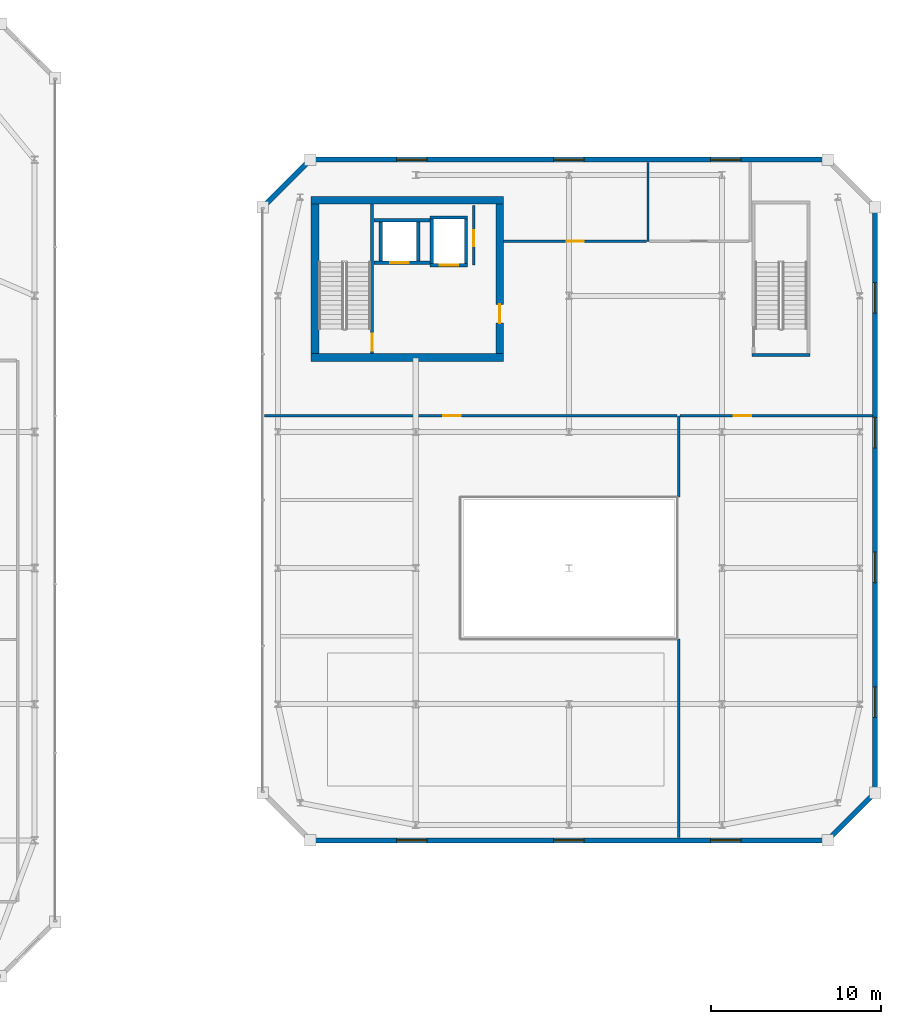
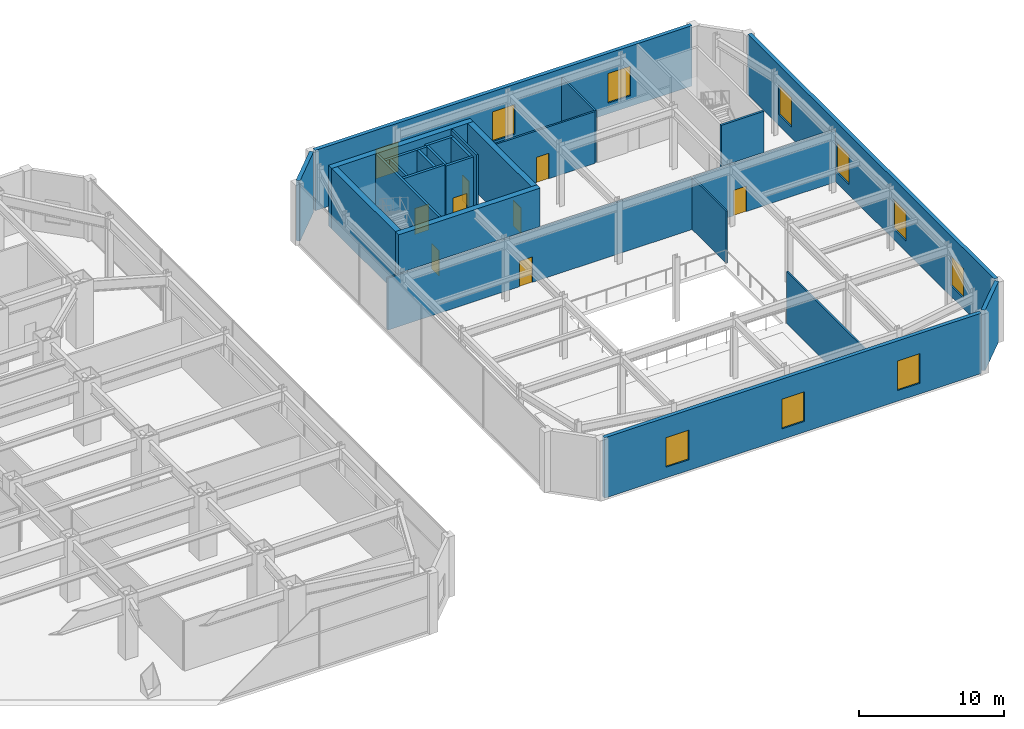
# One storey, part 42 of 52: 26 walls, 10 windows, 8 doors, 18 openings.
"""IFC4 building model written with IfcOpenShell, lengths in metres."""

from ifc_helpers import new_model, si_unit, direction, frame, frame_2d, origin, place, context, subcontext, project, spatial, rectangle, extrude, material, layer, layer_set, type_object, element, fill, save


model = new_model("IFC4")

# Units and contexts
model_context = context("Model", 3, precision=1e-05, world=origin(), true_north=direction((0.0, 1.0)))
body_context = subcontext(model_context, "Body", "Model", "MODEL_VIEW")
ifc_project = project(units=[si_unit("LENGTHUNIT", "METRE"), si_unit("AREAUNIT", "SQUARE_METRE"), si_unit("VOLUMEUNIT", "CUBIC_METRE"), si_unit("PLANEANGLEUNIT", "RADIAN"), si_unit("MASSUNIT", "GRAM", prefix="KILO")], contexts=[model_context])

# Site, building, storey
site_placement = place(None, origin())
site = spatial("IfcSite", under=ifc_project, at=site_placement, CompositionType="ELEMENT")
building_placement = place(site_placement, origin())
building = spatial("IfcBuilding", under=site, at=building_placement, Name="Saevonmaru Cultural Tower", CompositionType="ELEMENT")
storey_placement = place(building_placement, frame((0.0, 0.0, 11.39990234375)))
storey = spatial("IfcBuildingStorey", under=building, at=storey_placement, Name="L02", CompositionType="ELEMENT", Elevation=11.39990234375)

# Wall, opening, door
ifc_material_1 = material(Name="Gypsum Fireboard Partition", Category="gypsum")
ifc_layer_1 = layer(ifc_material_1, 0.14990234375, Name="Gypsum Fireboard Partition")
ifc_layer_set_1 = layer_set([ifc_layer_1], Name="Gypsum Fireboard Partition")
wall_type_1 = type_object("IfcWallType", Name="WL-CORE-PART-150", PredefinedType="PARTITIONING", material=ifc_layer_set_1)
wall_1_placement = place(storey_placement, frame((84.60009765625, 41.800048828125, 0.0), z_axis=(0.0, 0.0, 1.0), x_axis=(0.0, 1.0, 0.0)))
wall_1 = element("IfcWall", 1, at=wall_1_placement, inside=storey, type_object=wall_type_1, Name="L02 Library Core Riser Wall", PredefinedType="PARTITIONING", context=body_context, shape_type="SweptSolid", body=[
    extrude(rectangle(XDim=3.5, YDim=0.14990234375, at=frame_2d((1.75, 0.0))), origin(), (0.0, 0.0, 1.0), 5.10009765625),
])
opening_1_placement = place(wall_1_placement, frame((1.10009765625, 0.0, 0.0)))
opening_1 = element("IfcOpeningElement", 2, at=opening_1_placement, cuts=wall_1, Name="Opening FD-4", PredefinedType="OPENING", context=body_context, shape_type="SweptSolid", body=[
    extrude(rectangle(XDim=0.949951171875, YDim=2.14990234375, at=frame_2d((0.47509765625, 1.074951171875))), frame((0.0, 0.0849609375, 0.0), z_axis=(0.0, -1.0, 0.0), x_axis=(1.0, 0.0, 0.0)), (0.0, 0.0, 1.0), 0.169921875),
])
ifc_material_2 = material(Name="Satin Bronze Anodised Aluminium", Category="aluminium")
door_type_1 = type_object("IfcDoorType", Name="DR-FD60-950", OperationType="SINGLE_SWING_LEFT", PredefinedType="DOOR", material=ifc_material_2)
door_1_placement = place(opening_1_placement, origin())
door_1 = element("IfcDoor", 3, at=door_1_placement, inside=storey, type_object=door_type_1, Name="L02 Library Core Riser Plant Door", OperationType="SINGLE_SWING_LEFT", OverallHeight=2.14990234375, OverallWidth=0.949951171875, PredefinedType="DOOR", context=body_context, shape_type="SweptSolid", body=[
    extrude(rectangle(XDim=0.949951171875, YDim=2.14990234375, at=frame_2d((0.47509765625, 1.074951171875))), frame((0.0, 0.02490234375, 0.0), z_axis=(0.0, -1.0, 0.0), x_axis=(1.0, 0.0, 0.0)), (0.0, 0.0, 1.0), 0.050048828125),
])
fill(opening_1, door_1)

# Wall, openings, windows
ifc_material_3 = material(Name="Warm Limestone Precast Concrete C40/50", Category="masonry")
ifc_layer_2 = layer(ifc_material_3, 0.300048828125, Name="Warm Limestone Precast Concrete C40/50")
ifc_layer_set_2 = layer_set([ifc_layer_2], Name="Warm Limestone Precast Concrete C40/50")
wall_type_2 = type_object("IfcWallType", Name="WL-EXT-LIB-300", PredefinedType="STANDARD", material=ifc_layer_set_2)
wall_2_placement = place(storey_placement, frame((75.159912109375, 8.0, 0.0), z_axis=(0.0, 0.0, 1.0), x_axis=(1.0, 0.0, 0.0)))
wall_2 = element("IfcWall", 4, at=wall_2_placement, inside=storey, type_object=wall_type_2, Name="L02 Central Library Fluted Stone Wall E2", PredefinedType="STANDARD", context=body_context, shape_type="SweptSolid", body=[
    extrude(rectangle(XDim=30.080078125, YDim=0.300048828125, at=frame_2d((15.0400390625, 0.0))), origin(), (0.0, 0.0, 1.0), 5.10009765625),
])
opening_2_placement = place(wall_2_placement, frame((4.9130859375, 0.0, 0.89990234375)))
opening_2 = element("IfcOpeningElement", 5, at=opening_2_placement, cuts=wall_2, Name="Opening W-3B", PredefinedType="OPENING", context=body_context, shape_type="SweptSolid", body=[
    extrude(rectangle(XDim=1.800048828125, YDim=2.5, at=frame_2d((0.89990234375, 1.25))), frame((0.0, 0.16015625, 0.0), z_axis=(0.0, -1.0, 0.0), x_axis=(1.0, 0.0, 0.0)), (0.0, 0.0, 1.0), 0.320068359375),
])
opening_3_placement = place(wall_2_placement, frame((14.139892578125, 0.0, 0.89990234375)))
opening_3 = element("IfcOpeningElement", 6, at=opening_3_placement, cuts=wall_2, Name="Opening W-3B", PredefinedType="OPENING", context=body_context, shape_type="SweptSolid", body=[
    extrude(rectangle(XDim=1.800048828125, YDim=2.5, at=frame_2d((0.89990234375, 1.25))), frame((0.0, 0.16015625, 0.0), z_axis=(0.0, -1.0, 0.0), x_axis=(1.0, 0.0, 0.0)), (0.0, 0.0, 1.0), 0.320068359375),
])
opening_4_placement = place(wall_2_placement, frame((23.366943359375, 0.0, 0.89990234375)))
opening_4 = element("IfcOpeningElement", 7, at=opening_4_placement, cuts=wall_2, Name="Opening W-3B", PredefinedType="OPENING", context=body_context, shape_type="SweptSolid", body=[
    extrude(rectangle(XDim=1.800048828125, YDim=2.5, at=frame_2d((0.89990234375, 1.25))), frame((0.0, 0.16015625, 0.0), z_axis=(0.0, -1.0, 0.0), x_axis=(1.0, 0.0, 0.0)), (0.0, 0.0, 1.0), 0.320068359375),
])
window_type = type_object("IfcWindowType", Name="WN-LIB-1800x2500", PartitioningType="DOUBLE_PANEL_VERTICAL", PredefinedType="WINDOW", material=ifc_material_2)
window_1_placement = place(opening_2_placement, origin())
window_1 = element("IfcWindow", 8, at=window_1_placement, inside=storey, type_object=window_type, Name="L02 Library Reading Window E2-1", OverallHeight=2.5, OverallWidth=1.800048828125, PartitioningType="DOUBLE_PANEL_VERTICAL", PredefinedType="WINDOW", context=body_context, shape_type="SweptSolid", body=[
    extrude(rectangle(XDim=1.800048828125, YDim=2.5, at=frame_2d((0.89990234375, 1.25))), frame((0.0, 0.030029296875, 0.0), z_axis=(0.0, -1.0, 0.0), x_axis=(1.0, 0.0, 0.0)), (0.0, 0.0, 1.0), 0.06005859375),
])
fill(opening_2, window_1)
window_2_placement = place(opening_3_placement, origin())
window_2 = element("IfcWindow", 9, at=window_2_placement, inside=storey, type_object=window_type, Name="L02 Library Reading Window E2-2", OverallHeight=2.5, OverallWidth=1.800048828125, PartitioningType="DOUBLE_PANEL_VERTICAL", PredefinedType="WINDOW", context=body_context, shape_type="SweptSolid", body=[
    extrude(rectangle(XDim=1.800048828125, YDim=2.5, at=frame_2d((0.89990234375, 1.25))), frame((0.0, 0.030029296875, 0.0), z_axis=(0.0, -1.0, 0.0), x_axis=(1.0, 0.0, 0.0)), (0.0, 0.0, 1.0), 0.06005859375),
])
fill(opening_3, window_2)
window_3_placement = place(opening_4_placement, origin())
window_3 = element("IfcWindow", 10, at=window_3_placement, inside=storey, type_object=window_type, Name="L02 Library Reading Window E2-3", OverallHeight=2.5, OverallWidth=1.800048828125, PartitioningType="DOUBLE_PANEL_VERTICAL", PredefinedType="WINDOW", context=body_context, shape_type="SweptSolid", body=[
    extrude(rectangle(XDim=1.800048828125, YDim=2.5, at=frame_2d((0.89990234375, 1.25))), frame((0.0, 0.030029296875, 0.0), z_axis=(0.0, -1.0, 0.0), x_axis=(1.0, 0.0, 0.0)), (0.0, 0.0, 1.0), 0.06005859375),
])
fill(opening_4, window_3)

# Wall
wall_3_placement = place(storey_placement, frame((105.51318359375, 8.113037109375, 0.0), z_axis=(0.0, 0.0, 1.0), x_axis=(0.707073244381, 0.707140316402, 0.0)))
element("IfcWall", 11, at=wall_3_placement, inside=storey, type_object=wall_type_2, Name="L02 Central Library Fluted Stone Wall E3", PredefinedType="STANDARD", context=body_context, shape_type="SweptSolid", body=[
    extrude(rectangle(XDim=3.639892578125, YDim=0.300048828125, at=frame_2d((1.81982421875, 0.0))), origin(), (0.0, 0.0, 1.0), 5.10009765625),
])

# Wall, openings, windows
wall_4_placement = place(storey_placement, frame((108.199951171875, 10.9599609375, 0.0), z_axis=(0.0, 0.0, 1.0), x_axis=(0.0, 1.0, 0.0)))
wall_4 = element("IfcWall", 12, at=wall_4_placement, inside=storey, type_object=wall_type_2, Name="L02 Central Library Fluted Stone Wall E4", PredefinedType="STANDARD", context=body_context, shape_type="SweptSolid", body=[
    extrude(rectangle(XDim=34.080078125, YDim=0.300048828125, at=frame_2d((17.0400390625, 0.0))), origin(), (0.0, 0.0, 1.0), 5.10009765625),
])
opening_5_placement = place(wall_4_placement, frame((4.260009765625, 0.0, 0.89990234375)))
opening_5 = element("IfcOpeningElement", 13, at=opening_5_placement, cuts=wall_4, Name="Opening W-3B", PredefinedType="OPENING", context=body_context, shape_type="SweptSolid", body=[
    extrude(rectangle(XDim=1.800048828125, YDim=2.5, at=frame_2d((0.89990234375, 1.25))), frame((0.0, 0.16015625, 0.0), z_axis=(0.0, -1.0, 0.0), x_axis=(1.0, 0.0, 0.0)), (0.0, 0.0, 1.0), 0.320068359375),
])
opening_6_placement = place(wall_4_placement, frame((12.179931640625, 0.0, 0.89990234375)))
opening_6 = element("IfcOpeningElement", 14, at=opening_6_placement, cuts=wall_4, Name="Opening W-3B", PredefinedType="OPENING", context=body_context, shape_type="SweptSolid", body=[
    extrude(rectangle(XDim=1.800048828125, YDim=2.5, at=frame_2d((0.89990234375, 1.25))), frame((0.0, 0.16015625, 0.0), z_axis=(0.0, -1.0, 0.0), x_axis=(1.0, 0.0, 0.0)), (0.0, 0.0, 1.0), 0.320068359375),
])
opening_7_placement = place(wall_4_placement, frame((20.10009765625, 0.0, 0.89990234375)))
opening_7 = element("IfcOpeningElement", 15, at=opening_7_placement, cuts=wall_4, Name="Opening W-3B", PredefinedType="OPENING", context=body_context, shape_type="SweptSolid", body=[
    extrude(rectangle(XDim=1.800048828125, YDim=2.5, at=frame_2d((0.89990234375, 1.25))), frame((0.0, 0.16015625, 0.0), z_axis=(0.0, -1.0, 0.0), x_axis=(1.0, 0.0, 0.0)), (0.0, 0.0, 1.0), 0.320068359375),
])
opening_8_placement = place(wall_4_placement, frame((28.02001953125, 0.0, 0.89990234375)))
opening_8 = element("IfcOpeningElement", 16, at=opening_8_placement, cuts=wall_4, Name="Opening W-3B", PredefinedType="OPENING", context=body_context, shape_type="SweptSolid", body=[
    extrude(rectangle(XDim=1.800048828125, YDim=2.5, at=frame_2d((0.89990234375, 1.25))), frame((0.0, 0.16015625, 0.0), z_axis=(0.0, -1.0, 0.0), x_axis=(1.0, 0.0, 0.0)), (0.0, 0.0, 1.0), 0.320068359375),
])
window_4_placement = place(opening_5_placement, origin())
window_4 = element("IfcWindow", 17, at=window_4_placement, inside=storey, type_object=window_type, Name="L02 Library Reading Window E4-1", OverallHeight=2.5, OverallWidth=1.800048828125, PartitioningType="DOUBLE_PANEL_VERTICAL", PredefinedType="WINDOW", context=body_context, shape_type="SweptSolid", body=[
    extrude(rectangle(XDim=1.800048828125, YDim=2.5, at=frame_2d((0.89990234375, 1.25))), frame((0.0, 0.030029296875, 0.0), z_axis=(0.0, -1.0, 0.0), x_axis=(1.0, 0.0, 0.0)), (0.0, 0.0, 1.0), 0.06005859375),
])
fill(opening_5, window_4)
window_5_placement = place(opening_6_placement, origin())
window_5 = element("IfcWindow", 18, at=window_5_placement, inside=storey, type_object=window_type, Name="L02 Library Reading Window E4-2", OverallHeight=2.5, OverallWidth=1.800048828125, PartitioningType="DOUBLE_PANEL_VERTICAL", PredefinedType="WINDOW", context=body_context, shape_type="SweptSolid", body=[
    extrude(rectangle(XDim=1.800048828125, YDim=2.5, at=frame_2d((0.89990234375, 1.25))), frame((0.0, 0.030029296875, 0.0), z_axis=(0.0, -1.0, 0.0), x_axis=(1.0, 0.0, 0.0)), (0.0, 0.0, 1.0), 0.06005859375),
])
fill(opening_6, window_5)
window_6_placement = place(opening_7_placement, origin())
window_6 = element("IfcWindow", 19, at=window_6_placement, inside=storey, type_object=window_type, Name="L02 Library Reading Window E4-3", OverallHeight=2.5, OverallWidth=1.800048828125, PartitioningType="DOUBLE_PANEL_VERTICAL", PredefinedType="WINDOW", context=body_context, shape_type="SweptSolid", body=[
    extrude(rectangle(XDim=1.800048828125, YDim=2.5, at=frame_2d((0.89990234375, 1.25))), frame((0.0, 0.030029296875, 0.0), z_axis=(0.0, -1.0, 0.0), x_axis=(1.0, 0.0, 0.0)), (0.0, 0.0, 1.0), 0.06005859375),
])
fill(opening_7, window_6)
window_7_placement = place(opening_8_placement, origin())
window_7 = element("IfcWindow", 20, at=window_7_placement, inside=storey, type_object=window_type, Name="L02 Library Reading Window E4-4", OverallHeight=2.5, OverallWidth=1.800048828125, PartitioningType="DOUBLE_PANEL_VERTICAL", PredefinedType="WINDOW", context=body_context, shape_type="SweptSolid", body=[
    extrude(rectangle(XDim=1.800048828125, YDim=2.5, at=frame_2d((0.89990234375, 1.25))), frame((0.0, 0.030029296875, 0.0), z_axis=(0.0, -1.0, 0.0), x_axis=(1.0, 0.0, 0.0)), (0.0, 0.0, 1.0), 0.06005859375),
])
fill(opening_8, window_7)

wall_5_placement = place(storey_placement, frame((105.239990234375, 48.0, 0.0), z_axis=(0.0, 0.0, 1.0), x_axis=(-1.0, 0.0, 0.0)))
wall_5 = element("IfcWall", 21, at=wall_5_placement, inside=storey, type_object=wall_type_2, Name="L02 Central Library Fluted Stone Wall E6", PredefinedType="STANDARD", context=body_context, shape_type="SweptSolid", body=[
    extrude(rectangle(XDim=30.080078125, YDim=0.300048828125, at=frame_2d((15.0400390625, 0.0))), origin(), (0.0, 0.0, 1.0), 5.10009765625),
])
opening_9_placement = place(wall_5_placement, frame((4.9130859375, 0.0, 0.89990234375)))
opening_9 = element("IfcOpeningElement", 22, at=opening_9_placement, cuts=wall_5, Name="Opening W-3B", PredefinedType="OPENING", context=body_context, shape_type="SweptSolid", body=[
    extrude(rectangle(XDim=1.800048828125, YDim=2.5, at=frame_2d((0.89990234375, 1.25))), frame((0.0, 0.16015625, 0.0), z_axis=(0.0, -1.0, 0.0), x_axis=(1.0, 0.0, 0.0)), (0.0, 0.0, 1.0), 0.320068359375),
])
opening_10_placement = place(wall_5_placement, frame((14.139892578125, 0.0, 0.89990234375)))
opening_10 = element("IfcOpeningElement", 23, at=opening_10_placement, cuts=wall_5, Name="Opening W-3B", PredefinedType="OPENING", context=body_context, shape_type="SweptSolid", body=[
    extrude(rectangle(XDim=1.800048828125, YDim=2.5, at=frame_2d((0.89990234375, 1.25))), frame((0.0, 0.16015625, 0.0), z_axis=(0.0, -1.0, 0.0), x_axis=(1.0, 0.0, 0.0)), (0.0, 0.0, 1.0), 0.320068359375),
])
opening_11_placement = place(wall_5_placement, frame((23.366943359375, 0.0, 0.89990234375)))
opening_11 = element("IfcOpeningElement", 24, at=opening_11_placement, cuts=wall_5, Name="Opening W-3B", PredefinedType="OPENING", context=body_context, shape_type="SweptSolid", body=[
    extrude(rectangle(XDim=1.800048828125, YDim=2.5, at=frame_2d((0.89990234375, 1.25))), frame((0.0, 0.16015625, 0.0), z_axis=(0.0, -1.0, 0.0), x_axis=(1.0, 0.0, 0.0)), (0.0, 0.0, 1.0), 0.320068359375),
])
window_8_placement = place(opening_9_placement, origin())
window_8 = element("IfcWindow", 25, at=window_8_placement, inside=storey, type_object=window_type, Name="L02 Library Reading Window E6-1", OverallHeight=2.5, OverallWidth=1.800048828125, PartitioningType="DOUBLE_PANEL_VERTICAL", PredefinedType="WINDOW", context=body_context, shape_type="SweptSolid", body=[
    extrude(rectangle(XDim=1.800048828125, YDim=2.5, at=frame_2d((0.89990234375, 1.25))), frame((0.0, 0.030029296875, 0.0), z_axis=(0.0, -1.0, 0.0), x_axis=(1.0, 0.0, 0.0)), (0.0, 0.0, 1.0), 0.06005859375),
])
fill(opening_9, window_8)
window_9_placement = place(opening_10_placement, origin())
window_9 = element("IfcWindow", 26, at=window_9_placement, inside=storey, type_object=window_type, Name="L02 Library Reading Window E6-2", OverallHeight=2.5, OverallWidth=1.800048828125, PartitioningType="DOUBLE_PANEL_VERTICAL", PredefinedType="WINDOW", context=body_context, shape_type="SweptSolid", body=[
    extrude(rectangle(XDim=1.800048828125, YDim=2.5, at=frame_2d((0.89990234375, 1.25))), frame((0.0, 0.030029296875, 0.0), z_axis=(0.0, -1.0, 0.0), x_axis=(1.0, 0.0, 0.0)), (0.0, 0.0, 1.0), 0.06005859375),
])
fill(opening_10, window_9)
window_10_placement = place(opening_11_placement, origin())
window_10 = element("IfcWindow", 27, at=window_10_placement, inside=storey, type_object=window_type, Name="L02 Library Reading Window E6-3", OverallHeight=2.5, OverallWidth=1.800048828125, PartitioningType="DOUBLE_PANEL_VERTICAL", PredefinedType="WINDOW", context=body_context, shape_type="SweptSolid", body=[
    extrude(rectangle(XDim=1.800048828125, YDim=2.5, at=frame_2d((0.89990234375, 1.25))), frame((0.0, 0.030029296875, 0.0), z_axis=(0.0, -1.0, 0.0), x_axis=(1.0, 0.0, 0.0)), (0.0, 0.0, 1.0), 0.06005859375),
])
fill(opening_11, window_10)

# Walls
wall_6_placement = place(storey_placement, frame((74.886962890625, 47.886962890625, 0.0), z_axis=(0.0, 0.0, 1.0), x_axis=(-0.707106781187, -0.707106781187, 0.0)))
element("IfcWall", 28, at=wall_6_placement, inside=storey, type_object=wall_type_2, Name="L02 Central Library Fluted Stone Wall E7", PredefinedType="STANDARD", context=body_context, shape_type="SweptSolid", body=[
    extrude(rectangle(XDim=3.64013671875, YDim=0.300048828125, at=frame_2d((1.820068359375, 0.0))), origin(), (0.0, 0.0, 1.0), 5.10009765625),
])
ifc_material_4 = material(Name="Concrete C50/60", Category="concrete")
ifc_layer_3 = layer(ifc_material_4, 0.449951171875, Name="Concrete C50/60")
ifc_layer_set_3 = layer_set([ifc_layer_3], Name="Concrete C50/60")
wall_type_3 = type_object("IfcWallType", Name="WL-LCORE-450", PredefinedType="SHEAR", material=ifc_layer_set_3)
for number, where, z_axis, x_axis, name in (
    (29, (75.050048828125, 36.375, 0.0), (0.0, 0.0, 1.0), (1.0, 0.0, 0.0), "L02 Central Library RC core shear wall S"),
    (30, (75.050048828125, 45.625, 0.0), (0.0, 0.0, 1.0), (1.0, 0.0, 0.0), "L02 Central Library RC core shear wall N"),
):
    element("IfcWall", number, at=place(storey_placement, frame(where, z_axis=z_axis, x_axis=x_axis)), inside=storey, type_object=wall_type_3, Name=name, PredefinedType="SHEAR", context=body_context, shape_type="SweptSolid", body=[
        extrude(rectangle(XDim=11.300048828125, YDim=0.449951171875, at=frame_2d((5.64990234375, 0.0))), origin(), (0.0, 0.0, 1.0), 5.10009765625),
    ])
wall_7_placement = place(storey_placement, frame((75.27490234375, 36.60009765625, 0.0), z_axis=(0.0, 0.0, 1.0), x_axis=(0.0, 1.0, 0.0)))
element("IfcWall", 31, at=wall_7_placement, inside=storey, type_object=wall_type_3, Name="L02 Central Library RC core shear wall W", PredefinedType="SHEAR", context=body_context, shape_type="SweptSolid", body=[
    extrude(rectangle(XDim=8.7998046875, YDim=0.449951171875, at=frame_2d((4.39990234375, 0.0))), origin(), (0.0, 0.0, 1.0), 5.10009765625),
])

# Wall, opening, door
wall_8_placement = place(storey_placement, frame((86.125, 36.60009765625, 0.0), z_axis=(0.0, 0.0, 1.0), x_axis=(0.0, 1.0, 0.0)))
wall_8 = element("IfcWall", 32, at=wall_8_placement, inside=storey, type_object=wall_type_3, Name="L02 Central Library RC core shear wall E", PredefinedType="SHEAR", context=body_context, shape_type="SweptSolid", body=[
    extrude(rectangle(XDim=8.7998046875, YDim=0.449951171875, at=frame_2d((4.39990234375, 0.0))), origin(), (0.0, 0.0, 1.0), 5.10009765625),
])
opening_12_placement = place(wall_8_placement, frame((1.800048828125, 0.0, 0.0)))
opening_12 = element("IfcOpeningElement", 33, at=opening_12_placement, cuts=wall_8, Name="Opening FD-2", PredefinedType="OPENING", context=body_context, shape_type="SweptSolid", body=[
    extrude(rectangle(XDim=1.10009765625, YDim=2.14990234375, at=frame_2d((0.550048828125, 1.074951171875))), frame((0.0, 0.23486328125, 0.0), z_axis=(0.0, -1.0, 0.0), x_axis=(1.0, 0.0, 0.0)), (0.0, 0.0, 1.0), 0.469970703125),
])
door_type_2 = type_object("IfcDoorType", Name="DR-FD60-1100", OperationType="SINGLE_SWING_LEFT", PredefinedType="DOOR", material=ifc_material_2)
door_2_placement = place(opening_12_placement, origin())
door_2 = element("IfcDoor", 34, at=door_2_placement, inside=storey, type_object=door_type_2, Name="L02 Library Core Lobby Fire Door", OperationType="SINGLE_SWING_LEFT", OverallHeight=2.14990234375, OverallWidth=1.10009765625, PredefinedType="DOOR", context=body_context, shape_type="SweptSolid", body=[
    extrude(rectangle(XDim=1.10009765625, YDim=2.14990234375, at=frame_2d((0.550048828125, 1.074951171875))), frame((0.0, 0.02490234375, 0.0), z_axis=(0.0, -1.0, 0.0), x_axis=(1.0, 0.0, 0.0)), (0.0, 0.0, 1.0), 0.050048828125),
])
fill(opening_12, door_2)

ifc_layer_4 = layer(ifc_material_1, 0.14990234375, Name="Gypsum Fireboard Partition")
ifc_layer_set_4 = layer_set([ifc_layer_4], Name="Gypsum Fireboard Partition")
wall_type_4 = type_object("IfcWallType", Name="WL-PART-FIRE-150", PredefinedType="PARTITIONING", material=ifc_layer_set_4)
wall_9_placement = place(storey_placement, frame((72.300048828125, 32.949951171875, 0.0), z_axis=(0.0, 0.0, 1.0), x_axis=(1.0, 0.0, 0.0)))
wall_9 = element("IfcWall", 35, at=wall_9_placement, inside=storey, type_object=wall_type_4, Name="L02 Library West Reading Concourse Wall", PredefinedType="PARTITIONING", context=body_context, shape_type="SweptSolid", body=[
    extrude(rectangle(XDim=24.262451171875, YDim=0.14990234375, at=frame_2d((12.13134765625, 0.0))), origin(), (0.0, 0.0, 1.0), 4.385009765625),
])
opening_13_placement = place(wall_9_placement, frame((10.506103515625, 0.0, 0.0)))
opening_13 = element("IfcOpeningElement", 36, at=opening_13_placement, cuts=wall_9, Name="Opening ID-1", PredefinedType="OPENING", context=body_context, shape_type="SweptSolid", body=[
    extrude(rectangle(XDim=1.050048828125, YDim=2.14990234375, at=frame_2d((0.52490234375, 1.074951171875))), frame((0.0, 0.0849609375, 0.0), z_axis=(0.0, -1.0, 0.0), x_axis=(1.0, 0.0, 0.0)), (0.0, 0.0, 1.0), 0.169921875),
])
door_type_3 = type_object("IfcDoorType", Name="DR-INT-1050", OperationType="SINGLE_SWING_LEFT", PredefinedType="DOOR", material=ifc_material_2)
door_3_placement = place(opening_13_placement, origin())
door_3 = element("IfcDoor", 37, at=door_3_placement, inside=storey, type_object=door_type_3, Name="L02 South Open Reading Gallery Door", OperationType="SINGLE_SWING_LEFT", OverallHeight=2.14990234375, OverallWidth=1.050048828125, PredefinedType="DOOR", context=body_context, shape_type="SweptSolid", body=[
    extrude(rectangle(XDim=1.050048828125, YDim=2.14990234375, at=frame_2d((0.52490234375, 1.074951171875))), frame((0.0, 0.02490234375, 0.0), z_axis=(0.0, -1.0, 0.0), x_axis=(1.0, 0.0, 0.0)), (0.0, 0.0, 1.0), 0.050048828125),
])
fill(opening_13, door_3)

wall_10_placement = place(storey_placement, frame((96.737548828125, 32.949951171875, 0.0), z_axis=(0.0, 0.0, 1.0), x_axis=(1.0, 0.0, 0.0)))
wall_10 = element("IfcWall", 38, at=wall_10_placement, inside=storey, type_object=wall_type_4, Name="L02 Library East Reading Concourse Wall", PredefinedType="PARTITIONING", context=body_context, shape_type="SweptSolid", body=[
    extrude(rectangle(XDim=11.29248046875, YDim=0.14990234375, at=frame_2d((5.646240234375, 0.0))), origin(), (0.0, 0.0, 1.0), 4.385009765625),
])
opening_14_placement = place(wall_10_placement, frame((3.14111328125, 0.0, 0.0)))
opening_14 = element("IfcOpeningElement", 39, at=opening_14_placement, cuts=wall_10, Name="Opening ID-1", PredefinedType="OPENING", context=body_context, shape_type="SweptSolid", body=[
    extrude(rectangle(XDim=1.050048828125, YDim=2.14990234375, at=frame_2d((0.52490234375, 1.074951171875))), frame((0.0, 0.0849609375, 0.0), z_axis=(0.0, -1.0, 0.0), x_axis=(1.0, 0.0, 0.0)), (0.0, 0.0, 1.0), 0.169921875),
])
door_4_placement = place(opening_14_placement, origin())
door_4 = element("IfcDoor", 40, at=door_4_placement, inside=storey, type_object=door_type_3, Name="L02 East Atrium Reading Gallery Door", OperationType="SINGLE_SWING_RIGHT", OverallHeight=2.14990234375, OverallWidth=1.050048828125, PredefinedType="DOOR", context=body_context, shape_type="SweptSolid", body=[
    extrude(rectangle(XDim=1.050048828125, YDim=2.14990234375, at=frame_2d((0.52490234375, 1.074951171875))), frame((0.0, 0.02490234375, 0.0), z_axis=(0.0, -1.0, 0.0), x_axis=(1.0, 0.0, 0.0)), (0.0, 0.0, 1.0), 0.050048828125),
])
fill(opening_14, door_4)

wall_11_placement = place(storey_placement, frame((86.3701171875, 43.199951171875, 0.0), z_axis=(0.0, 0.0, 1.0), x_axis=(1.0, 0.0, 0.0)))
wall_11 = element("IfcWall", 41, at=wall_11_placement, inside=storey, type_object=wall_type_4, Name="L02 Library Rare Book Room Wall", PredefinedType="PARTITIONING", context=body_context, shape_type="SweptSolid", body=[
    extrude(rectangle(XDim=8.389892578125, YDim=0.14990234375, at=frame_2d((4.19482421875, 0.0))), origin(), (0.0, 0.0, 1.0), 4.385009765625),
])
opening_15_placement = place(wall_11_placement, frame((3.695068359375, 0.0, 0.0)))
opening_15 = element("IfcOpeningElement", 42, at=opening_15_placement, cuts=wall_11, Name="Opening FD-3", PredefinedType="OPENING", context=body_context, shape_type="SweptSolid", body=[
    extrude(rectangle(XDim=1.0, YDim=2.14990234375, at=frame_2d((0.5, 1.074951171875))), frame((0.0, 0.0849609375, 0.0), z_axis=(0.0, -1.0, 0.0), x_axis=(1.0, 0.0, 0.0)), (0.0, 0.0, 1.0), 0.169921875),
])
door_type_4 = type_object("IfcDoorType", Name="DR-FD60-1000", OperationType="SINGLE_SWING_RIGHT", PredefinedType="DOOR", material=ifc_material_2)
door_5_placement = place(opening_15_placement, origin())
door_5 = element("IfcDoor", 43, at=door_5_placement, inside=storey, type_object=door_type_4, Name="L02 Rare Book Archive Door", OperationType="SINGLE_SWING_LEFT", OverallHeight=2.14990234375, OverallWidth=1.0, PredefinedType="DOOR", context=body_context, shape_type="SweptSolid", body=[
    extrude(rectangle(XDim=1.0, YDim=2.14990234375, at=frame_2d((0.5, 1.074951171875))), frame((0.0, 0.02490234375, 0.0), z_axis=(0.0, -1.0, 0.0), x_axis=(1.0, 0.0, 0.0)), (0.0, 0.0, 1.0), 0.050048828125),
])
fill(opening_15, door_5)

# Walls
ifc_layer_5 = layer(ifc_material_1, 0.135009765625, Name="Gypsum Fireboard Partition")
ifc_layer_set_5 = layer_set([ifc_layer_5], Name="Gypsum Fireboard Partition")
wall_type_5 = type_object("IfcWallType", Name="WL-PART-GYP-135", PredefinedType="PARTITIONING", material=ifc_layer_set_5)
wall_12_placement = place(storey_placement, frame((96.64990234375, 8.169921875, 0.0), z_axis=(0.0, 0.0, 1.0), x_axis=(0.0, 1.0, 0.0)))
element("IfcWall", 44, at=wall_12_placement, inside=storey, type_object=wall_type_5, Name="L02 Library South-East Gallery Wall", PredefinedType="PARTITIONING", context=body_context, shape_type="SweptSolid", body=[
    extrude(rectangle(XDim=11.650146484375, YDim=0.135009765625, at=frame_2d((5.8251953125, 0.0))), origin(), (0.0, 0.0, 1.0), 4.385009765625),
])
wall_13_placement = place(storey_placement, frame((96.64990234375, 28.179931640625, 0.0), z_axis=(0.0, 0.0, 1.0), x_axis=(0.0, 1.0, 0.0)))
element("IfcWall", 45, at=wall_13_placement, inside=storey, type_object=wall_type_5, Name="L02 Library North-East Gallery Wall", PredefinedType="PARTITIONING", context=body_context, shape_type="SweptSolid", body=[
    extrude(rectangle(XDim=4.77001953125, YDim=0.135009765625, at=frame_2d((2.385009765625, 0.0))), origin(), (0.0, 0.0, 1.0), 4.385009765625),
])
ifc_layer_6 = layer(ifc_material_1, 0.139892578125, Name="Gypsum Fireboard Partition")
ifc_layer_set_6 = layer_set([ifc_layer_6], Name="Gypsum Fireboard Partition")
wall_type_6 = type_object("IfcWallType", Name="WL-PART-WET-140", PredefinedType="PARTITIONING", material=ifc_layer_set_6)
wall_14_placement = place(storey_placement, frame((94.85009765625, 43.199951171875, 0.0), z_axis=(0.0, 0.0, 1.0), x_axis=(0.0, 1.0, 0.0)))
element("IfcWall", 46, at=wall_14_placement, inside=storey, type_object=wall_type_6, Name="L02 Library Archive-Washroom Divider", PredefinedType="PARTITIONING", context=body_context, shape_type="SweptSolid", body=[
    extrude(rectangle(XDim=4.630126953125, YDim=0.139892578125, at=frame_2d((2.31494140625, 0.0))), origin(), (0.0, 0.0, 1.0), 4.385009765625),
])

# Wall, opening, door
ifc_material_5 = material(Name="Concrete C40/50", Category="concrete")
ifc_layer_7 = layer(ifc_material_5, 0.199951171875, Name="Concrete C40/50")
ifc_layer_set_7 = layer_set([ifc_layer_7], Name="Concrete C40/50")
wall_type_7 = type_object("IfcWallType", Name="WL-SHAFT-200", PredefinedType="SHEAR", material=ifc_layer_set_7)
wall_15_placement = place(storey_placement, frame((78.72998046875, 41.949951171875, 0.0), z_axis=(0.0, 0.0, 1.0), x_axis=(1.0, 0.0, 0.0)))
wall_15 = element("IfcWall", 47, at=wall_15_placement, inside=storey, type_object=wall_type_7, Name="L02 Lift LLF-1 Hoistway Wall S", PredefinedType="SHEAR", context=body_context, shape_type="SweptSolid", body=[
    extrude(rectangle(XDim=3.320068359375, YDim=0.199951171875, at=frame_2d((1.66015625, 0.0))), origin(), (0.0, 0.0, 1.0), 5.10009765625),
])
opening_16_placement = place(wall_15_placement, frame((0.969970703125, 0.0, 0.0)))
opening_16 = element("IfcOpeningElement", 48, at=opening_16_placement, cuts=wall_15, Name="Opening LD-1", PredefinedType="OPENING", context=body_context, shape_type="SweptSolid", body=[
    extrude(rectangle(XDim=1.10009765625, YDim=2.199951171875, at=frame_2d((0.550048828125, 1.10009765625))), frame((0.0, 0.10986328125, 0.0), z_axis=(0.0, -1.0, 0.0), x_axis=(1.0, 0.0, 0.0)), (0.0, 0.0, 1.0), 0.219970703125),
])
ifc_material_6 = material(Name="Satin Bronze Stainless Steel", Category="steel")
door_type_5 = type_object("IfcDoorType", Name="DR-LIFT-1100", OperationType="SLIDING_TO_LEFT", PredefinedType="DOOR", material=ifc_material_6)
door_6_placement = place(opening_16_placement, origin())
door_6 = element("IfcDoor", 49, at=door_6_placement, inside=storey, type_object=door_type_5, Name="L02 Lift LLF-1 Sliding Landing Door", OperationType="SLIDING_TO_LEFT", OverallHeight=2.199951171875, OverallWidth=1.10009765625, PredefinedType="DOOR", context=body_context, shape_type="SweptSolid", body=[
    extrude(rectangle(XDim=1.10009765625, YDim=2.199951171875, at=frame_2d((0.550048828125, 1.10009765625))), frame((0.0, 0.02490234375, 0.0), z_axis=(0.0, -1.0, 0.0), x_axis=(1.0, 0.0, 0.0)), (0.0, 0.0, 1.0), 0.050048828125),
])
fill(opening_16, door_6)

# Walls
wall_16_placement = place(storey_placement, frame((78.72998046875, 44.449951171875, 0.0), z_axis=(0.0, 0.0, 1.0), x_axis=(1.0, 0.0, 0.0)))
element("IfcWall", 50, at=wall_16_placement, inside=storey, type_object=wall_type_7, Name="L02 Lift LLF-1 Hoistway Wall N", PredefinedType="SHEAR", context=body_context, shape_type="SweptSolid", body=[
    extrude(rectangle(XDim=3.320068359375, YDim=0.199951171875, at=frame_2d((1.66015625, 0.0))), origin(), (0.0, 0.0, 1.0), 5.10009765625),
])
for number, where, z_axis, x_axis, name in (
    (51, (79.14990234375, 42.050048828125, 0.0), (0.0, 0.0, 1.0), (0.0, 1.0, 0.0), "L02 Lift LLF-1 Hoistway Wall W"),
    (52, (81.35009765625, 42.050048828125, 0.0), (0.0, 0.0, 1.0), (0.0, 1.0, 0.0), "L02 Lift LLF-1 Hoistway Wall E"),
):
    element("IfcWall", number, at=place(storey_placement, frame(where, z_axis=z_axis, x_axis=x_axis)), inside=storey, type_object=wall_type_7, Name=name, PredefinedType="SHEAR", context=body_context, shape_type="SweptSolid", body=[
        extrude(rectangle(XDim=2.300048828125, YDim=0.199951171875, at=frame_2d((1.14990234375, 0.0))), origin(), (0.0, 0.0, 1.0), 5.10009765625),
    ])

# Wall, opening, door
wall_17_placement = place(storey_placement, frame((82.050048828125, 41.800048828125, 0.0), z_axis=(0.0, 0.0, 1.0), x_axis=(1.0, 0.0, 0.0)))
wall_17 = element("IfcWall", 53, at=wall_17_placement, inside=storey, type_object=wall_type_7, Name="L02 Lift LLF-2 Hoistway Wall S", PredefinedType="SHEAR", context=body_context, shape_type="SweptSolid", body=[
    extrude(rectangle(XDim=2.199951171875, YDim=0.199951171875, at=frame_2d((1.10009765625, 0.0))), origin(), (0.0, 0.0, 1.0), 5.10009765625),
])
opening_17_placement = place(wall_17_placement, frame((0.550048828125, 0.0, 0.0)))
opening_17 = element("IfcOpeningElement", 54, at=opening_17_placement, cuts=wall_17, Name="Opening LD-1", PredefinedType="OPENING", context=body_context, shape_type="SweptSolid", body=[
    extrude(rectangle(XDim=1.10009765625, YDim=2.199951171875, at=frame_2d((0.550048828125, 1.10009765625))), frame((0.0, 0.10986328125, 0.0), z_axis=(0.0, -1.0, 0.0), x_axis=(1.0, 0.0, 0.0)), (0.0, 0.0, 1.0), 0.219970703125),
])
door_7_placement = place(opening_17_placement, origin())
door_7 = element("IfcDoor", 55, at=door_7_placement, inside=storey, type_object=door_type_5, Name="L02 Lift LLF-2 Sliding Landing Door", OperationType="SLIDING_TO_LEFT", OverallHeight=2.199951171875, OverallWidth=1.10009765625, PredefinedType="DOOR", context=body_context, shape_type="SweptSolid", body=[
    extrude(rectangle(XDim=1.10009765625, YDim=2.199951171875, at=frame_2d((0.550048828125, 1.10009765625))), frame((0.0, 0.02490234375, 0.0), z_axis=(0.0, -1.0, 0.0), x_axis=(1.0, 0.0, 0.0)), (0.0, 0.0, 1.0), 0.050048828125),
])
fill(opening_17, door_7)

# Walls
wall_18_placement = place(storey_placement, frame((82.050048828125, 44.60009765625, 0.0), z_axis=(0.0, 0.0, 1.0), x_axis=(1.0, 0.0, 0.0)))
element("IfcWall", 56, at=wall_18_placement, inside=storey, type_object=wall_type_7, Name="L02 Lift LLF-2 Hoistway Wall N", PredefinedType="SHEAR", context=body_context, shape_type="SweptSolid", body=[
    extrude(rectangle(XDim=2.199951171875, YDim=0.199951171875, at=frame_2d((1.10009765625, 0.0))), origin(), (0.0, 0.0, 1.0), 5.10009765625),
])
for number, where, z_axis, x_axis, name in (
    (57, (82.14990234375, 41.89990234375, 0.0), (0.0, 0.0, 1.0), (0.0, 1.0, 0.0), "L02 Lift LLF-2 Hoistway Wall W"),
    (58, (84.14990234375, 41.89990234375, 0.0), (0.0, 0.0, 1.0), (0.0, 1.0, 0.0), "L02 Lift LLF-2 Hoistway Wall E"),
):
    element("IfcWall", number, at=place(storey_placement, frame(where, z_axis=z_axis, x_axis=x_axis)), inside=storey, type_object=wall_type_7, Name=name, PredefinedType="SHEAR", context=body_context, shape_type="SweptSolid", body=[
        extrude(rectangle(XDim=2.60009765625, YDim=0.199951171875, at=frame_2d((1.300048828125, 0.0))), origin(), (0.0, 0.0, 1.0), 5.10009765625),
    ])

# Wall, opening, door
ifc_layer_8 = layer(ifc_material_5, 0.179931640625, Name="Concrete C40/50")
ifc_layer_set_8 = layer_set([ifc_layer_8], Name="Concrete C40/50")
wall_type_8 = type_object("IfcWallType", Name="WL-STSHAFT-180", PredefinedType="SHEAR", material=ifc_layer_set_8)
wall_19_placement = place(storey_placement, frame((78.639892578125, 36.60009765625, 0.0), z_axis=(0.0, 0.0, 1.0), x_axis=(0.0, 1.0, 0.0)))
wall_19 = element("IfcWall", 59, at=wall_19_placement, inside=storey, type_object=wall_type_8, Name="L02 Stair LST-1 Structural Shaft Wall 1", PredefinedType="SHEAR", context=body_context, shape_type="SweptSolid", body=[
    extrude(rectangle(XDim=8.7998046875, YDim=0.179931640625, at=frame_2d((4.39990234375, 0.0))), origin(), (0.0, 0.0, 1.0), 5.10009765625),
])
opening_18_placement = place(wall_19_placement, frame((0.159912109375, 0.0, 0.0)))
opening_18 = element("IfcOpeningElement", 60, at=opening_18_placement, cuts=wall_19, Name="Opening FD-3", PredefinedType="OPENING", context=body_context, shape_type="SweptSolid", body=[
    extrude(rectangle(XDim=1.0, YDim=2.14990234375, at=frame_2d((0.5, 1.074951171875))), frame((0.0, 0.10009765625, 0.0), z_axis=(0.0, -1.0, 0.0), x_axis=(1.0, 0.0, 0.0)), (0.0, 0.0, 1.0), 0.199951171875),
])
door_8_placement = place(opening_18_placement, origin())
door_8 = element("IfcDoor", 61, at=door_8_placement, inside=storey, type_object=door_type_4, Name="L02 Protected Stair LST-1 Fire Door", OperationType="SINGLE_SWING_RIGHT", OverallHeight=2.14990234375, OverallWidth=1.0, PredefinedType="DOOR", context=body_context, shape_type="SweptSolid", body=[
    extrude(rectangle(XDim=1.0, YDim=2.14990234375, at=frame_2d((0.5, 1.074951171875))), frame((0.0, 0.02490234375, 0.0), z_axis=(0.0, -1.0, 0.0), x_axis=(1.0, 0.0, 0.0)), (0.0, 0.0, 1.0), 0.050048828125),
])
fill(opening_18, door_8)

# Wall
wall_20_placement = place(storey_placement, frame((100.969970703125, 36.510009765625, 0.0), z_axis=(0.0, 0.0, 1.0), x_axis=(1.0, 0.0, 0.0)))
element("IfcWall", 62, at=wall_20_placement, inside=storey, type_object=wall_type_8, Name="L02 Stair LST-2 Structural Shaft Wall 2", PredefinedType="SHEAR", context=body_context, shape_type="SweptSolid", body=[
    extrude(rectangle(XDim=3.409912109375, YDim=0.179931640625, at=frame_2d((1.705078125, 0.0))), origin(), (0.0, 0.0, 1.0), 5.10009765625),
])

save(model, "model.ifc")
